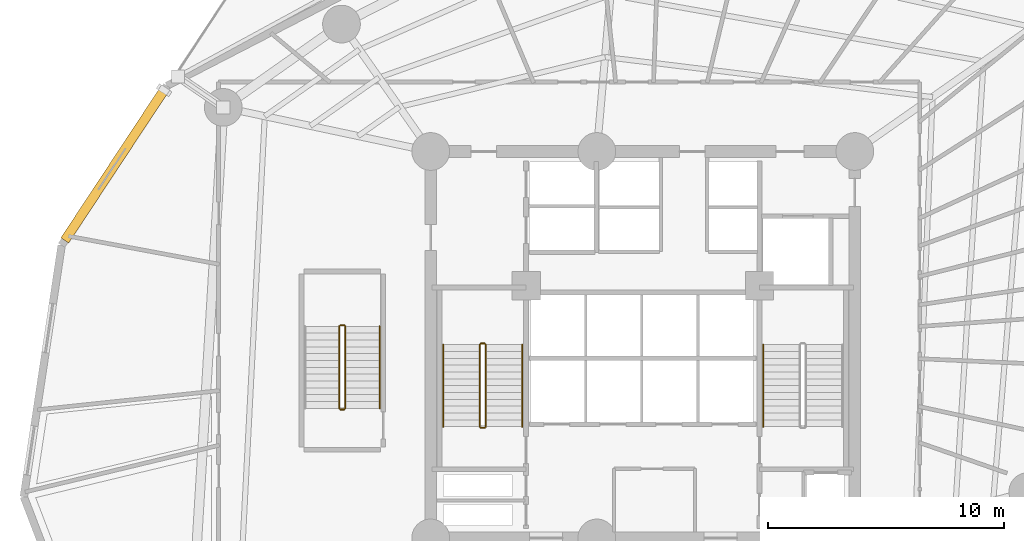
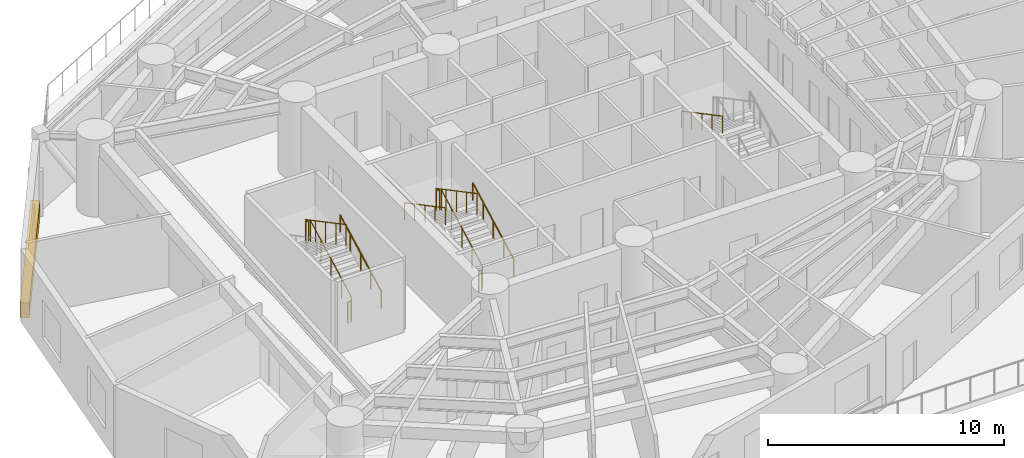
# One storey, part 14 of 16: 12 railings, 1 covering.
"""IFC4 building model written with IfcOpenShell, lengths in metres."""

from ifc_helpers import new_model, si_unit, direction, frame, origin, origin_with_axes, origin_2d, place, context, subcontext, project, spatial, rectangle, circle, extrude, source, transform, mapped, material, layer, layer_set, type_object, element, save


model = new_model("IFC4")

# Units and contexts
model_context = context("Model", 3, precision=1e-05, world=origin(), true_north=direction((0.0, 1.0)))
body_context = subcontext(model_context, "Body", "Model", "MODEL_VIEW")
ifc_project = project(units=[si_unit("LENGTHUNIT", "METRE"), si_unit("AREAUNIT", "SQUARE_METRE"), si_unit("VOLUMEUNIT", "CUBIC_METRE"), si_unit("PLANEANGLEUNIT", "RADIAN"), si_unit("MASSUNIT", "GRAM", prefix="KILO")], contexts=[model_context])

# Site, building, storey
site_placement = place(None, origin())
site = spatial("IfcSite", under=ifc_project, at=site_placement, CompositionType="ELEMENT")
building_placement = place(site_placement, origin())
building = spatial("IfcBuilding", under=site, at=building_placement, Name="Karkom Vertical University and Central Library", CompositionType="ELEMENT")
storey_placement = place(building_placement, frame((0.0, 0.0, 22.5)))
storey = spatial("IfcBuildingStorey", under=building, at=storey_placement, Name="L05", CompositionType="ELEMENT", Elevation=22.5)

# Railings
ifc_material_1 = material(Name="Painted galvanised steel balustrade", Category="steel")
ifc_layer_1 = layer(ifc_material_1, 0.06005859375)
ifc_layer_set_1 = layer_set([ifc_layer_1], Name="Painted galvanised steel balustrade")
railing_type_1 = type_object("IfcRailingType", Name="INT-RL-GUARD1100", PredefinedType="GUARDRAIL", material=ifc_layer_set_1)
railing_1_placement = place(storey_placement, frame((21.840087890625, 23.02001953125, 0.15380859375)))
element("IfcRailing", 1, at=railing_1_placement, inside=storey, type_object=railing_type_1, Name="Level 05 ST-1 stair guard 1", PredefinedType="GUARDRAIL", context=body_context, shape_type="SweptSolid", body=[
    extrude(circle(Radius=0.02392578125, at=origin_2d()), frame((0.0, 0.0, 1.076171875), z_axis=(0.0, 0.883383580571, 0.468650669025), x_axis=(-1.0, 0.0, 0.0)), (0.0, 0.0, 1.0), 3.939453125),
    extrude(circle(Radius=0.02099609375, at=origin_2d()), origin(), (0.0, 0.0, 1.0), 1.052001953125),
    extrude(circle(Radius=0.02099609375, at=origin_2d()), frame((0.0, 0.8701171875, 0.46142578125)), (0.0, 0.0, 1.0), 1.052001953125),
    extrude(circle(Radius=0.02099609375, at=origin_2d()), frame((0.0, 1.739990234375, 0.923095703125)), (0.0, 0.0, 1.0), 1.052001953125),
    extrude(circle(Radius=0.02099609375, at=origin_2d()), frame((0.0, 2.60986328125, 1.384765625)), (0.0, 0.0, 1.0), 1.052001953125),
    extrude(circle(Radius=0.02099609375, at=origin_2d()), frame((0.0, 3.47998046875, 1.84619140625)), (0.0, 0.0, 1.0), 1.052001953125),
])
railing_2_placement = place(storey_placement, frame((21.7900390625, 26.550048828125, 2.0)))
element("IfcRailing", 2, at=railing_2_placement, inside=storey, type_object=railing_type_1, Name="Level 05 ST-1 stair guard 2", PredefinedType="GUARDRAIL", context=body_context, shape_type="SweptSolid", body=[
    extrude(circle(Radius=0.02392578125, at=origin_2d()), frame((0.0, 0.0, 1.076171875), z_axis=(-1.0, 0.0, 0.0), x_axis=(0.0, -1.0, 0.0)), (0.0, 0.0, 1.0), 0.16015625),
    extrude(circle(Radius=0.02099609375, at=origin_2d()), origin(), (0.0, 0.0, 1.0), 1.052001953125),
    extrude(circle(Radius=0.02099609375, at=origin_2d()), frame((-0.16015625, 0.0, 0.0)), (0.0, 0.0, 1.0), 1.052001953125),
])
railing_3_placement = place(storey_placement, frame((21.580078125, 26.5, 2.15380859375)))
element("IfcRailing", 3, at=railing_3_placement, inside=storey, type_object=railing_type_1, Name="Level 05 ST-1 stair guard 3", PredefinedType="GUARDRAIL", context=body_context, shape_type="SweptSolid", body=[
    extrude(circle(Radius=0.02392578125, at=origin_2d()), frame((0.0, 0.0, 1.076171875), z_axis=(0.0, -0.883383580571, 0.468650669025), x_axis=(1.0, 0.0, 0.0)), (0.0, 0.0, 1.0), 3.939453125),
    extrude(circle(Radius=0.02099609375, at=origin_2d()), origin(), (0.0, 0.0, 1.0), 1.052001953125),
    extrude(circle(Radius=0.02099609375, at=origin_2d()), frame((0.0, -0.8701171875, 0.46142578125)), (0.0, 0.0, 1.0), 1.052001953125),
    extrude(circle(Radius=0.02099609375, at=origin_2d()), frame((0.0, -1.739990234375, 0.923095703125)), (0.0, 0.0, 1.0), 1.052001953125),
    extrude(circle(Radius=0.02099609375, at=origin_2d()), frame((0.0, -2.60986328125, 1.384765625)), (0.0, 0.0, 1.0), 1.052001953125),
    extrude(circle(Radius=0.02099609375, at=origin_2d()), frame((0.0, -3.47998046875, 1.84619140625)), (0.0, 0.0, 1.0), 1.052001953125),
])
railing_4_placement = place(storey_placement, frame((21.7900390625, 22.969970703125, 0.0)))
element("IfcRailing", 4, at=railing_4_placement, inside=storey, type_object=railing_type_1, Name="Level 05 ST-1 stair guard 4", PredefinedType="GUARDRAIL", context=body_context, shape_type="SweptSolid", body=[
    extrude(circle(Radius=0.02392578125, at=origin_2d()), frame((0.0, 0.0, 1.076171875), z_axis=(-1.0, 0.0, 0.0), x_axis=(0.0, -1.0, 0.0)), (0.0, 0.0, 1.0), 0.16015625),
    extrude(circle(Radius=0.02099609375, at=origin_2d()), origin(), (0.0, 0.0, 1.0), 1.052001953125),
    extrude(circle(Radius=0.02099609375, at=origin_2d()), frame((-0.16015625, 0.0, 0.0)), (0.0, 0.0, 1.0), 1.052001953125),
])
railing_5_placement = place(storey_placement, frame((15.8798828125, 23.800048828125, 0.15380859375)))
element("IfcRailing", 5, at=railing_5_placement, inside=storey, type_object=railing_type_1, Name="Level 05 ST-3 stair guard 1", PredefinedType="GUARDRAIL", context=body_context, shape_type="SweptSolid", body=[
    extrude(circle(Radius=0.02392578125, at=origin_2d()), frame((0.0, 0.0, 1.076171875), z_axis=(0.0, 0.883383580571, 0.468650669025), x_axis=(-1.0, 0.0, 0.0)), (0.0, 0.0, 1.0), 3.939453125),
    extrude(circle(Radius=0.02099609375, at=origin_2d()), origin(), (0.0, 0.0, 1.0), 1.052001953125),
    extrude(circle(Radius=0.02099609375, at=origin_2d()), frame((0.0, 0.8701171875, 0.46142578125)), (0.0, 0.0, 1.0), 1.052001953125),
    extrude(circle(Radius=0.02099609375, at=origin_2d()), frame((0.0, 1.739990234375, 0.923095703125)), (0.0, 0.0, 1.0), 1.052001953125),
    extrude(circle(Radius=0.02099609375, at=origin_2d()), frame((0.0, 2.60986328125, 1.384765625)), (0.0, 0.0, 1.0), 1.052001953125),
    extrude(circle(Radius=0.02099609375, at=origin_2d()), frame((0.0, 3.47998046875, 1.84619140625)), (0.0, 0.0, 1.0), 1.052001953125),
])
railing_6_placement = place(storey_placement, frame((15.830078125, 27.330078125, 2.0)))
element("IfcRailing", 6, at=railing_6_placement, inside=storey, type_object=railing_type_1, Name="Level 05 ST-3 stair guard 2", PredefinedType="GUARDRAIL", context=body_context, shape_type="SweptSolid", body=[
    extrude(circle(Radius=0.02392578125, at=origin_2d()), frame((0.0, 0.0, 1.076171875), z_axis=(-1.0, 0.0, 0.0), x_axis=(0.0, -1.0, 0.0)), (0.0, 0.0, 1.0), 0.16015625),
    extrude(circle(Radius=0.02099609375, at=origin_2d()), origin(), (0.0, 0.0, 1.0), 1.052001953125),
    extrude(circle(Radius=0.02099609375, at=origin_2d()), frame((-0.16015625, 0.0, 0.0)), (0.0, 0.0, 1.0), 1.052001953125),
])
railing_7_placement = place(storey_placement, frame((15.6201171875, 27.280029296875, 2.15380859375)))
element("IfcRailing", 7, at=railing_7_placement, inside=storey, type_object=railing_type_1, Name="Level 05 ST-3 stair guard 3", PredefinedType="GUARDRAIL", context=body_context, shape_type="SweptSolid", body=[
    extrude(circle(Radius=0.02392578125, at=origin_2d()), frame((0.0, 0.0, 1.076171875), z_axis=(0.0, -0.883383580571, 0.468650669025), x_axis=(1.0, 0.0, 0.0)), (0.0, 0.0, 1.0), 3.939453125),
    extrude(circle(Radius=0.02099609375, at=origin_2d()), origin(), (0.0, 0.0, 1.0), 1.052001953125),
    extrude(circle(Radius=0.02099609375, at=origin_2d()), frame((0.0, -0.8701171875, 0.46142578125)), (0.0, 0.0, 1.0), 1.052001953125),
    extrude(circle(Radius=0.02099609375, at=origin_2d()), frame((0.0, -1.739990234375, 0.923095703125)), (0.0, 0.0, 1.0), 1.052001953125),
    extrude(circle(Radius=0.02099609375, at=origin_2d()), frame((0.0, -2.60986328125, 1.384765625)), (0.0, 0.0, 1.0), 1.052001953125),
    extrude(circle(Radius=0.02099609375, at=origin_2d()), frame((0.0, -3.47998046875, 1.84619140625)), (0.0, 0.0, 1.0), 1.052001953125),
])
railing_8_placement = place(storey_placement, frame((15.830078125, 23.75, 0.0)))
element("IfcRailing", 8, at=railing_8_placement, inside=storey, type_object=railing_type_1, Name="Level 05 ST-3 stair guard 4", PredefinedType="GUARDRAIL", context=body_context, shape_type="SweptSolid", body=[
    extrude(circle(Radius=0.02392578125, at=origin_2d()), frame((0.0, 0.0, 1.076171875), z_axis=(-1.0, 0.0, 0.0), x_axis=(0.0, -1.0, 0.0)), (0.0, 0.0, 1.0), 0.16015625),
    extrude(circle(Radius=0.02099609375, at=origin_2d()), origin(), (0.0, 0.0, 1.0), 1.052001953125),
    extrude(circle(Radius=0.02099609375, at=origin_2d()), frame((-0.16015625, 0.0, 0.0)), (0.0, 0.0, 1.0), 1.052001953125),
])
ifc_material_2 = material(Name="Brushed stainless-steel tubular handrail", Category="steel")
ifc_layer_2 = layer(ifc_material_2, 0.048095703125)
ifc_layer_set_2 = layer_set([ifc_layer_2], Name="Brushed stainless-steel tubular handrail")
railing_type_2 = type_object("IfcRailingType", Name="INT-RL-HAND920", PredefinedType="HANDRAIL", material=ifc_layer_set_2)
railing_9_placement = place(storey_placement, frame((23.389892578125, 23.02001953125, 0.15380859375)))
element("IfcRailing", 9, at=railing_9_placement, inside=storey, type_object=railing_type_2, Name="Level 05 ST-1 stair handrail 1", PredefinedType="HANDRAIL", context=body_context, shape_type="SweptSolid", body=[
    extrude(circle(Radius=0.02392578125, at=origin_2d()), frame((0.0, 0.0, 0.8759765625), z_axis=(0.0, 0.883383580571, 0.468650669025), x_axis=(-1.0, 0.0, 0.0)), (0.0, 0.0, 1.0), 3.939453125),
    extrude(circle(Radius=0.02099609375, at=origin_2d()), origin(), (0.0, 0.0, 1.0), 0.851806640625),
    extrude(circle(Radius=0.02099609375, at=origin_2d()), frame((0.0, 0.8701171875, 0.46142578125)), (0.0, 0.0, 1.0), 0.851806640625),
    extrude(circle(Radius=0.02099609375, at=origin_2d()), frame((0.0, 1.739990234375, 0.923095703125)), (0.0, 0.0, 1.0), 0.851806640625),
    extrude(circle(Radius=0.02099609375, at=origin_2d()), frame((0.0, 2.60986328125, 1.384765625)), (0.0, 0.0, 1.0), 0.851806640625),
    extrude(circle(Radius=0.02099609375, at=origin_2d()), frame((0.0, 3.47998046875, 1.84619140625)), (0.0, 0.0, 1.0), 0.851806640625),
])
for number, where, name in (
    (10, (20.030029296875, 26.5, 2.15380859375), "Level 05 ST-1 stair handrail 2"),
    (11, (33.610107421875, 26.5, 2.15380859375), "Level 05 ST-2 stair handrail 2"),
):
    element("IfcRailing", number, at=place(storey_placement, frame(where)), inside=storey, type_object=railing_type_2, Name=name, PredefinedType="HANDRAIL", context=body_context, shape_type="SweptSolid", body=[
        extrude(circle(Radius=0.02392578125, at=origin_2d()), frame((0.0, 0.0, 0.8759765625), z_axis=(0.0, -0.883383580571, 0.468650669025), x_axis=(1.0, 0.0, 0.0)), (0.0, 0.0, 1.0), 3.939453125),
        extrude(circle(Radius=0.02099609375, at=origin_2d()), origin(), (0.0, 0.0, 1.0), 0.851806640625),
        extrude(circle(Radius=0.02099609375, at=origin_2d()), frame((0.0, -0.8701171875, 0.46142578125)), (0.0, 0.0, 1.0), 0.851806640625),
        extrude(circle(Radius=0.02099609375, at=origin_2d()), frame((0.0, -1.739990234375, 0.923095703125)), (0.0, 0.0, 1.0), 0.851806640625),
        extrude(circle(Radius=0.02099609375, at=origin_2d()), frame((0.0, -2.60986328125, 1.384765625)), (0.0, 0.0, 1.0), 0.851806640625),
        extrude(circle(Radius=0.02099609375, at=origin_2d()), frame((0.0, -3.47998046875, 1.84619140625)), (0.0, 0.0, 1.0), 0.851806640625),
    ])
railing_10_placement = place(storey_placement, frame((17.330078125, 23.800048828125, 0.15380859375)))
element("IfcRailing", 12, at=railing_10_placement, inside=storey, type_object=railing_type_2, Name="Level 05 ST-3 stair handrail 1", PredefinedType="HANDRAIL", context=body_context, shape_type="SweptSolid", body=[
    extrude(circle(Radius=0.02392578125, at=origin_2d()), frame((0.0, 0.0, 0.8759765625), z_axis=(0.0, 0.883383580571, 0.468650669025), x_axis=(-1.0, 0.0, 0.0)), (0.0, 0.0, 1.0), 3.939453125),
    extrude(circle(Radius=0.02099609375, at=origin_2d()), origin(), (0.0, 0.0, 1.0), 0.851806640625),
    extrude(circle(Radius=0.02099609375, at=origin_2d()), frame((0.0, 0.8701171875, 0.46142578125)), (0.0, 0.0, 1.0), 0.851806640625),
    extrude(circle(Radius=0.02099609375, at=origin_2d()), frame((0.0, 1.739990234375, 0.923095703125)), (0.0, 0.0, 1.0), 0.851806640625),
    extrude(circle(Radius=0.02099609375, at=origin_2d()), frame((0.0, 2.60986328125, 1.384765625)), (0.0, 0.0, 1.0), 0.851806640625),
    extrude(circle(Radius=0.02099609375, at=origin_2d()), frame((0.0, 3.47998046875, 1.84619140625)), (0.0, 0.0, 1.0), 0.851806640625),
])

# Covering
ifc_material_3 = material(Name="Hand-pressed red-ochre terracotta brick slip cladding", Category="masonry")
ifc_layer_3 = layer(ifc_material_3, 0.090087890625)
ifc_layer_set_3 = layer_set([ifc_layer_3], Name="Hand-pressed red-ochre terracotta brick slip cladding")
covering_type = type_object("IfcCoveringType", Name="ENV-COV-CLAD", PredefinedType="CLADDING", material=ifc_layer_set_3)
shared_shape = source(origin_with_axes(), body_context, "Body", "SweptSolid", [
    extrude(rectangle(XDim=7.612060546875, YDim=0.39990234375, at=origin_2d()), origin(), (0.0, 0.0, 1.0), 0.780029296875),
])
covering_placement = place(storey_placement, frame((6.069091796875, 34.104736328125, 0.0), z_axis=(0.0, 0.0, 1.0), x_axis=(-0.550917789925, -0.834559517796, 0.0)))
element("IfcCovering", 13, at=covering_placement, inside=storey, type_object=covering_type, Name="Level 05 Terracotta Spandrel Cladding 01", PredefinedType="CLADDING", context=body_context, shape_type="MappedRepresentation", body=[
    mapped(shared_shape, transform((0.0, 0.0, 0.0), scale=1.0)),
])

save(model, "model.ifc")
